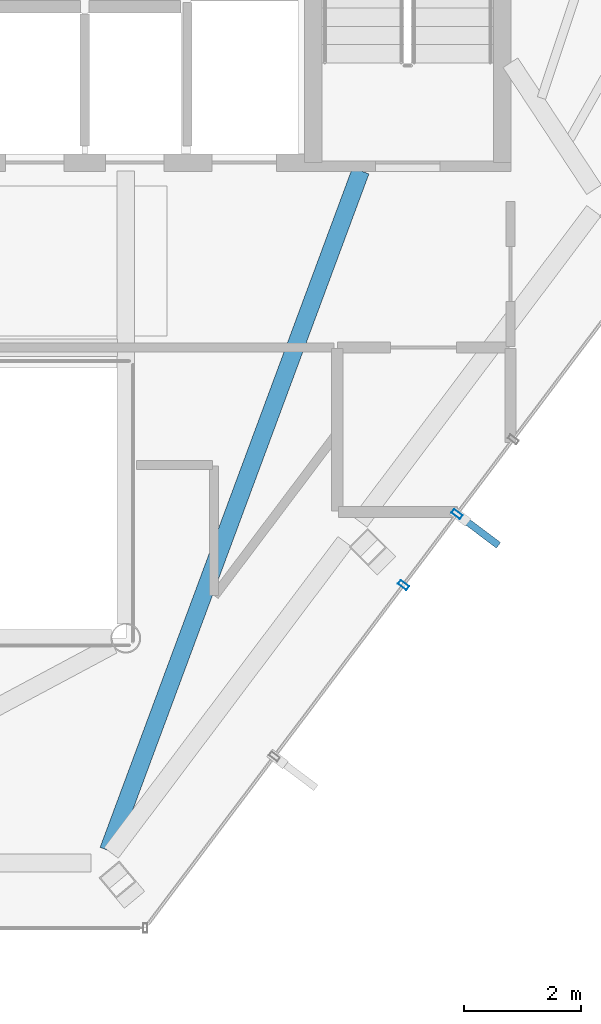
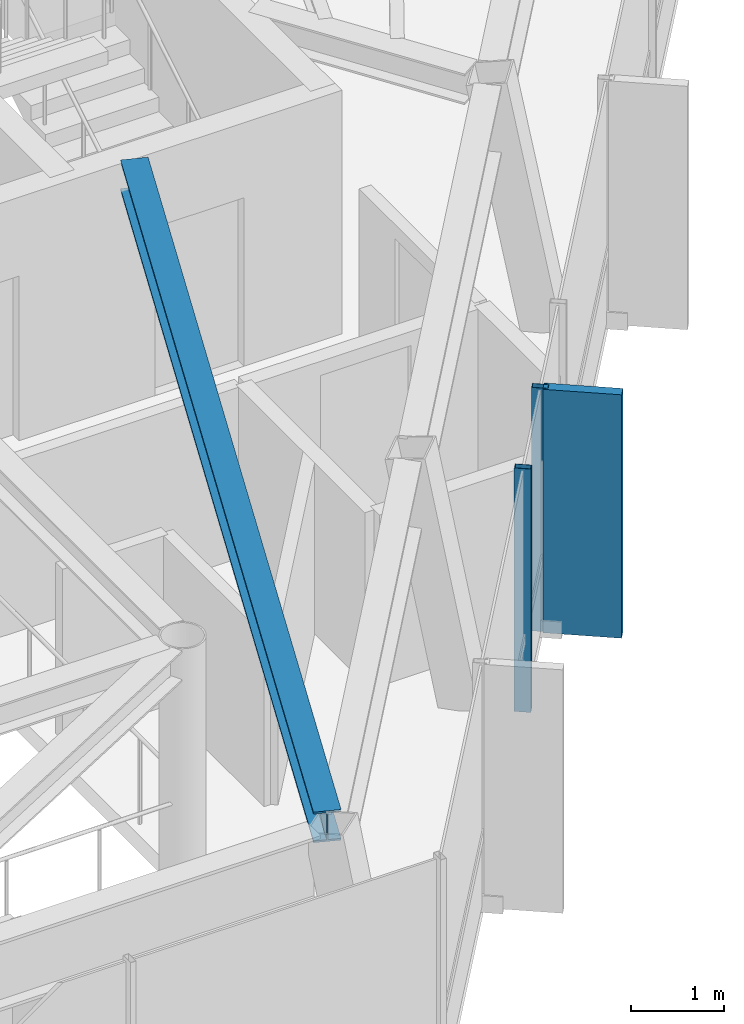
# One storey, part 8 of 22: 3 members, 1 beam, 1 element without a shape of its own.
"""IFC4 building model written with IfcOpenShell, lengths in metres."""

from ifc_helpers import new_model, si_unit, direction, frame, origin, origin_2d, place, context, subcontext, project, spatial, rectangle, hollow_rectangle, i_section, extrude, material, layer, layer_set, material_profile, profile_set, type_object, element, aggregate, save


model = new_model("IFC4")

# Units and contexts
model_context = context("Model", 3, precision=1e-05, world=origin(), true_north=direction((0.0, 1.0)))
body_context = subcontext(model_context, "Body", "Model", "MODEL_VIEW")
ifc_project = project(units=[si_unit("LENGTHUNIT", "METRE"), si_unit("AREAUNIT", "SQUARE_METRE"), si_unit("VOLUMEUNIT", "CUBIC_METRE"), si_unit("PLANEANGLEUNIT", "RADIAN"), si_unit("MASSUNIT", "GRAM", prefix="KILO")], contexts=[model_context])

# Site, building, storey
site_placement = place(None, origin())
site = spatial("IfcSite", under=ifc_project, at=site_placement, CompositionType="ELEMENT")
building_placement = place(site_placement, origin())
building = spatial("IfcBuilding", under=site, at=building_placement, Name="Zarrinselat Tower", CompositionType="ELEMENT")
storey_placement = place(building_placement, frame((0.0, 0.0, 295.800048828125)))
storey = spatial("IfcBuildingStorey", under=building, at=storey_placement, Name="L76", CompositionType="ELEMENT", Elevation=295.800048828125)

# Beam
ifc_material_1 = material(Name="Steel S355J2", Category="steel")
ifc_material_profile_1 = material_profile(ifc_material_1, i_section(OverallWidth=0.300048828125, OverallDepth=0.39990234375, WebThickness=0.013427734375, FlangeThickness=0.02392578125, at=origin_2d()), Name="HEB 400")
ifc_profile_set_1 = profile_set([ifc_material_profile_1], Name="Steel S355J2")
beam_type = type_object("IfcBeamType", Name="BM-HEB400", PredefinedType="BEAM", material=ifc_profile_set_1)
beam_placement = place(storey_placement, frame((41.502685546875, 21.586181640625, 2.97998046875), z_axis=(0.348083253795, 0.937463625122, 0.0), x_axis=(-0.937463625122, 0.348083253795, 0.0)))
element("IfcBeam", 1, at=beam_placement, inside=storey, type_object=beam_type, Name="L76 Radial Primary Girder RG11", PredefinedType="BEAM", context=body_context, shape_type="SweptSolid", body=[
    extrude(i_section(OverallWidth=0.300048828125, OverallDepth=0.39990234375, WebThickness=0.013427734375, FlangeThickness=0.02392578125, at=origin_2d()), origin(), (0.0, 0.0, 1.0), 12.345703125),
])

# Curtain wall, members
ifc_material_2 = material(Name="Extruded Aluminium Alloy EN AW-6063 T6", Category="aluminium")
ifc_layer = layer(ifc_material_2, 0.199951171875)
ifc_layer_set = layer_set([ifc_layer], Name="Extruded Aluminium Alloy EN AW-6063 T6")
curtain_wall_type = type_object("IfcCurtainWallType", Name="CWS-BLADE", PredefinedType="NOTDEFINED", material=ifc_layer_set)
curtain_wall_placement = place(storey_placement, origin())
curtain_wall = element("IfcCurtainWall", 2, at=curtain_wall_placement, inside=storey, type_object=curtain_wall_type, Name="L76 Unitised Curtain Wall CW-L76-E05", PredefinedType="NOTDEFINED")
ifc_material_3 = material(Name="Extruded Aluminium Alloy EN AW-6063 T6", Category="aluminium")
ifc_material_profile_2 = material_profile(ifc_material_3, hollow_rectangle(XDim=0.080078125, YDim=0.179931640625, WallThickness=0.0048828125, at=origin_2d()), Name="RHS 180x80x5")
ifc_profile_set_2 = profile_set([ifc_material_profile_2], Name="Extruded Aluminium Alloy EN AW-6063 T6")
member_type_1 = type_object("IfcMemberType", Name="MEM-CW-MUL", PredefinedType="MULLION", material=ifc_profile_set_2)
member_1_placement = place(storey_placement, frame((46.529296875, 26.1044921875, 0.0), z_axis=(0.0, 0.0, 1.0), x_axis=(0.601672649155, 0.798742776655, 0.0)))
member_1 = element("IfcMember", 3, at=member_1_placement, type_object=member_type_1, Name="CW-L76-E05 Mullion 2", PredefinedType="MULLION", context=body_context, shape_type="SweptSolid", body=[
    extrude(hollow_rectangle(XDim=0.080078125, YDim=0.179931640625, WallThickness=0.0048828125, at=origin_2d()), origin(), (0.0, 0.0, 1.0), 3.179931640625),
])
member_2_placement = place(storey_placement, frame((47.440185546875, 27.31396484375, 0.0), z_axis=(0.0, 0.0, 1.0), x_axis=(0.601672649155, 0.798742776655, 0.0)))
member_2 = element("IfcMember", 4, at=member_2_placement, type_object=member_type_1, Name="CW-L76-E05 Mullion 3", PredefinedType="MULLION", context=body_context, shape_type="SweptSolid", body=[
    extrude(hollow_rectangle(XDim=0.080078125, YDim=0.179931640625, WallThickness=0.0048828125, at=origin_2d()), origin(), (0.0, 0.0, 1.0), 3.179931640625),
])
ifc_material_4 = material(Name="Honed Cream Travertine Stone", Category="masonry")
ifc_material_profile_3 = material_profile(ifc_material_4, rectangle(XDim=0.1201171875, YDim=0.85009765625, at=origin_2d()), Name="FIN 850x120")
ifc_profile_set_3 = profile_set([ifc_material_profile_3], Name="Honed Cream Travertine Stone")
member_type_2 = type_object("IfcMemberType", Name="MEM-STONE-FIN", PredefinedType="USERDEFINED", material=ifc_profile_set_3)
member_3_placement = place(storey_placement, frame((47.8076171875, 27.037109375, 0.0), z_axis=(0.0, 0.0, 1.0), x_axis=(-0.601672649155, -0.798742776655, 0.0)))
member_3 = element("IfcMember", 5, at=member_3_placement, type_object=member_type_2, Name="L76 Stone Shading Fin CW-L76-E05-03", ObjectType="FIN", PredefinedType="USERDEFINED", context=body_context, shape_type="SweptSolid", body=[
    extrude(rectangle(XDim=0.1201171875, YDim=0.85009765625, at=origin_2d()), origin(), (0.0, 0.0, 1.0), 3.179931640625),
])
aggregate(curtain_wall, [member_1, member_2, member_3])

save(model, "model.ifc")
